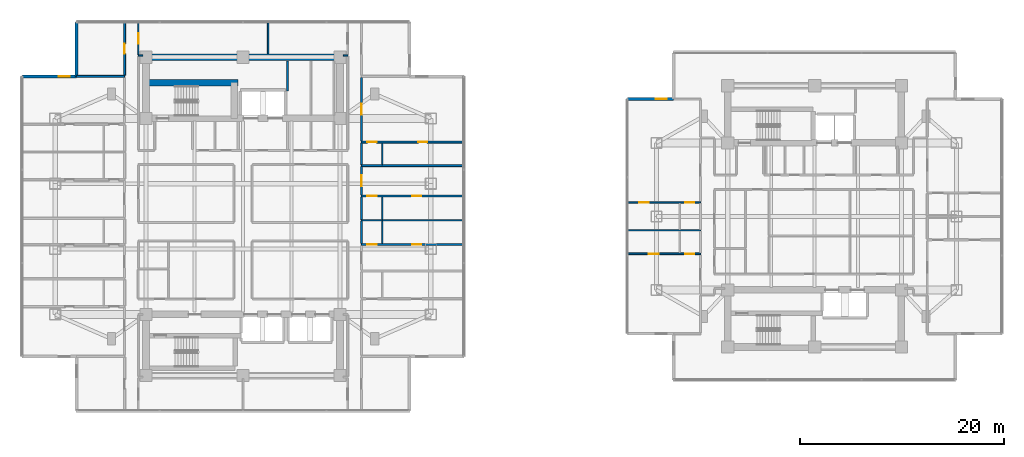
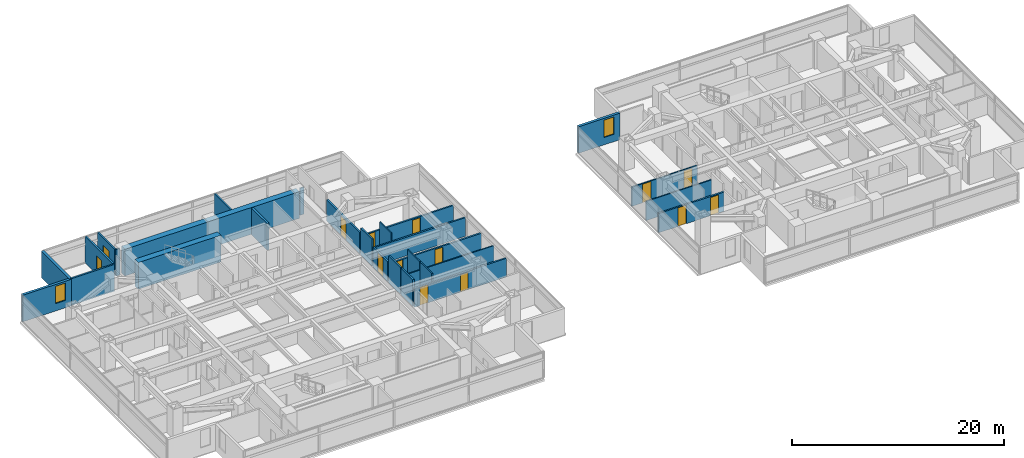
# One storey, part 15 of 25: 28 walls, 14 doors, 2 windows, 16 openings.
"""IFC4 building model written with IfcOpenShell, lengths in metres."""

from ifc_helpers import new_model, si_unit, direction, frame, frame_2d, origin, place, context, subcontext, project, spatial, rectangle, extrude, material, layer, layer_set, type_object, element, fill, save


model = new_model("IFC4")

# Units and contexts
model_context = context("Model", 3, precision=1e-05, world=origin(), true_north=direction((0.0, 1.0)))
body_context = subcontext(model_context, "Body", "Model", "MODEL_VIEW")
ifc_project = project(units=[si_unit("LENGTHUNIT", "METRE"), si_unit("AREAUNIT", "SQUARE_METRE"), si_unit("VOLUMEUNIT", "CUBIC_METRE"), si_unit("PLANEANGLEUNIT", "RADIAN"), si_unit("MASSUNIT", "GRAM", prefix="KILO")], contexts=[model_context])

# Site, building, storey
site_placement = place(None, origin())
site = spatial("IfcSite", under=ifc_project, at=site_placement, CompositionType="ELEMENT")
building_placement = place(site_placement, origin())
building = spatial("IfcBuilding", under=site, at=building_placement, Name="Mirazonda Arch Towers", CompositionType="ELEMENT")
storey_placement = place(building_placement, frame((0.0, 0.0, 104.89990234375)))
storey = spatial("IfcBuildingStorey", under=building, at=storey_placement, Name="L29", CompositionType="ELEMENT", Elevation=104.89990234375)

# Walls
ifc_material_1 = material(Name="Concrete C60/75", Category="concrete")
ifc_layer_1 = layer(ifc_material_1, 0.64990234375, Name="WALL-CORE-650")
ifc_layer_set_1 = layer_set([ifc_layer_1], Name="Concrete C60/75")
wall_type_1 = type_object("IfcWallType", Name="WALL-CORE-650", PredefinedType="SHEAR", material=ifc_layer_set_1)
wall_1_placement = place(storey_placement, frame((11.0, 43.60009765625, 0.0), z_axis=(0.0, 0.0, 1.0), x_axis=(1.0, 0.0, 0.0)))
element("IfcWall", 1, at=wall_1_placement, inside=storey, type_object=wall_type_1, Name="L29 T1N-N Core Shear Wall", PredefinedType="SHEAR", context=body_context, shape_type="SweptSolid", body=[
    extrude(rectangle(XDim=19.0, YDim=0.64990234375, at=frame_2d((9.5, 0.0))), origin(), (0.0, 0.0, 1.0), 3.080078125),
])
wall_2_placement = place(storey_placement, frame((11.0, 41.093017578125, 0.0), z_axis=(0.0, 0.0, 1.0), x_axis=(1.0, 0.0, 0.0)))
element("IfcWall", 2, at=wall_2_placement, inside=storey, type_object=wall_type_1, Name="L29 T1N-STN Core Shear Wall", PredefinedType="SHEAR", context=body_context, shape_type="SweptSolid", body=[
    extrude(rectangle(XDim=9.0, YDim=0.64990234375, at=frame_2d((4.5, 0.0))), origin(), (0.0, 0.0, 1.0), 3.080078125),
])

# Wall, opening, window
ifc_material_2 = material(Name="Precast Concrete C40/50", Category="concrete")
ifc_layer_2 = layer(ifc_material_2, 0.280029296875, Name="WALL-EXT-WALL-280")
ifc_layer_set_2 = layer_set([ifc_layer_2], Name="Precast Concrete C40/50")
wall_type_2 = type_object("IfcWallType", Name="WALL-EXT-WALL-280", PredefinedType="SOLIDWALL", material=ifc_layer_set_2)
wall_3_placement = place(storey_placement, frame((4.175048828125, 41.715087890625, 0.0), z_axis=(0.0, 0.0, 1.0), x_axis=(-1.0, 0.0, 0.0)))
wall_3 = element("IfcWall", 3, at=wall_3_placement, inside=storey, type_object=wall_type_2, Name="L29 T1 Corner Notch Return Wall WL-L29-T1-CNW1", PredefinedType="SOLIDWALL", context=body_context, shape_type="SweptSolid", body=[
    extrude(rectangle(XDim=5.304931640625, YDim=0.280029296875, at=frame_2d((2.65234375, 0.0))), origin(), (0.0, 0.0, 1.0), 3.06005859375),
])
opening_1_placement = place(wall_3_placement, frame((0.64990234375, 0.0, 0.85009765625)))
opening_1 = element("IfcOpeningElement", 4, at=opening_1_placement, cuts=wall_3, Name="Opening WN-108", PredefinedType="OPENING", context=body_context, shape_type="SweptSolid", body=[
    extrude(rectangle(XDim=1.10009765625, YDim=2.0, at=frame_2d((0.550048828125, 1.0))), frame((0.0, 0.14990234375, 0.0), z_axis=(0.0, -1.0, 0.0), x_axis=(1.0, 0.0, 0.0)), (0.0, 0.0, 1.0), 0.300048828125),
])
ifc_material_3 = material(Name="Insulated Low-E Solar Glass", Category="glass")
window_type = type_object("IfcWindowType", Name="WIN-NOTCH-1100x2000", PartitioningType="SINGLE_PANEL", PredefinedType="WINDOW", material=ifc_material_3)
window_1_placement = place(opening_1_placement, origin())
window_1 = element("IfcWindow", 5, at=window_1_placement, inside=storey, type_object=window_type, Name="L29 Punched Facade Window WN-L29-T1-CNW1", OverallHeight=2.0, OverallWidth=1.10009765625, PartitioningType="SINGLE_PANEL", PredefinedType="WINDOW", context=body_context, shape_type="SweptSolid", body=[
    extrude(rectangle(XDim=1.10009765625, YDim=2.0, at=frame_2d((0.550048828125, 1.0))), frame((0.0, 0.030029296875, 0.0), z_axis=(0.0, -1.0, 0.0), x_axis=(1.0, 0.0, 0.0)), (0.0, 0.0, 1.0), 0.06005859375),
])
fill(opening_1, window_1)

# Wall
wall_4_placement = place(storey_placement, frame((4.175048828125, 47.02001953125, 0.0), z_axis=(0.0, 0.0, 1.0), x_axis=(0.0, -1.0, 0.0)))
element("IfcWall", 6, at=wall_4_placement, inside=storey, type_object=wall_type_2, Name="L29 T1 Corner Notch Return Wall WL-L29-T1-CNW2", PredefinedType="SOLIDWALL", context=body_context, shape_type="SweptSolid", body=[
    extrude(rectangle(XDim=5.304931640625, YDim=0.280029296875, at=frame_2d((2.65234375, 0.0))), origin(), (0.0, 0.0, 1.0), 3.06005859375),
])

# Wall, opening, window
wall_5_placement = place(storey_placement, frame((62.683837890625, 39.497802734375, 0.0), z_axis=(0.0, 0.0, 1.0), x_axis=(-1.0, 0.0, 0.0)))
wall_5 = element("IfcWall", 7, at=wall_5_placement, inside=storey, type_object=wall_type_2, Name="L29 T2 Corner Notch Return Wall WL-L29-T2-CNW1", PredefinedType="SOLIDWALL", context=body_context, shape_type="SweptSolid", body=[
    extrude(rectangle(XDim=4.516357421875, YDim=0.280029296875, at=frame_2d((2.25830078125, 0.0))), origin(), (0.0, 0.0, 1.0), 3.06005859375),
])
opening_2_placement = place(wall_5_placement, frame((0.64990234375, 0.0, 0.85009765625)))
opening_2 = element("IfcOpeningElement", 8, at=opening_2_placement, cuts=wall_5, Name="Opening WN-108", PredefinedType="OPENING", context=body_context, shape_type="SweptSolid", body=[
    extrude(rectangle(XDim=1.10009765625, YDim=2.0, at=frame_2d((0.550048828125, 1.0))), frame((0.0, 0.14990234375, 0.0), z_axis=(0.0, -1.0, 0.0), x_axis=(1.0, 0.0, 0.0)), (0.0, 0.0, 1.0), 0.300048828125),
])
window_2_placement = place(opening_2_placement, origin())
window_2 = element("IfcWindow", 9, at=window_2_placement, inside=storey, type_object=window_type, Name="L29 Punched Facade Window WN-L29-T2-CNW1", OverallHeight=2.0, OverallWidth=1.10009765625, PartitioningType="SINGLE_PANEL", PredefinedType="WINDOW", context=body_context, shape_type="SweptSolid", body=[
    extrude(rectangle(XDim=1.10009765625, YDim=2.0, at=frame_2d((0.550048828125, 1.0))), frame((0.0, 0.030029296875, 0.0), z_axis=(0.0, -1.0, 0.0), x_axis=(1.0, 0.0, 0.0)), (0.0, 0.0, 1.0), 0.06005859375),
])
fill(opening_2, window_2)

# Wall
ifc_material_4 = material(Name="Concrete C40/50", Category="concrete")
ifc_layer_3 = layer(ifc_material_4, 0.219970703125, Name="WALL-FFL-220")
ifc_layer_set_3 = layer_set([ifc_layer_3], Name="Concrete C40/50")
wall_type_3 = type_object("IfcWallType", Name="WALL-FFL-220", PredefinedType="SOLIDWALL", material=ifc_layer_set_3)
wall_6_placement = place(storey_placement, frame((24.85009765625, 40.260009765625, 0.0), z_axis=(0.0, 0.0, 1.0), x_axis=(0.0, 1.0, 0.0)))
element("IfcWall", 10, at=wall_6_placement, inside=storey, type_object=wall_type_3, Name="L29 Interior Partition 108", PredefinedType="SOLIDWALL", context=body_context, shape_type="SweptSolid", body=[
    extrude(rectangle(XDim=2.93994140625, YDim=0.219970703125, at=frame_2d((1.469970703125, 0.0))), origin(), (0.0, 0.0, 1.0), 3.080078125),
])

# Wall, openings, doors
ifc_material_5 = material(Name="Fire-Rated Gypsum Stud Partition")
ifc_layer_4 = layer(ifc_material_5, 0.14990234375, Name="WALL-PART-CORR-150")
ifc_layer_set_4 = layer_set([ifc_layer_4], Name="Fire-Rated Gypsum Stud Partition")
wall_type_4 = type_object("IfcWallType", Name="WALL-PART-CORR-150", PredefinedType="PARTITIONING", material=ifc_layer_set_4)
wall_7_placement = place(storey_placement, frame((58.1669921875, 29.35205078125, 0.0), z_axis=(0.0, 0.0, 1.0), x_axis=(1.0, 0.0, 0.0)))
wall_7 = element("IfcWall", 11, at=wall_7_placement, inside=storey, type_object=wall_type_4, Name="L29 Interior Partition 041", PredefinedType="PARTITIONING", context=body_context, shape_type="SweptSolid", body=[
    extrude(rectangle(XDim=7.153076171875, YDim=0.14990234375, at=frame_2d((3.57666015625, 0.0))), origin(), (0.0, 0.0, 1.0), 2.216064453125),
])
opening_3_placement = place(wall_7_placement, frame((1.151611328125, 0.0, 0.0)))
opening_3 = element("IfcOpeningElement", 12, at=opening_3_placement, cuts=wall_7, Name="Opening DR-104", PredefinedType="OPENING", context=body_context, shape_type="SweptSolid", body=[
    extrude(rectangle(XDim=0.949951171875, YDim=2.14990234375, at=frame_2d((0.47509765625, 1.074951171875))), frame((0.0, 0.0849609375, 0.0), z_axis=(0.0, -1.0, 0.0), x_axis=(1.0, 0.0, 0.0)), (0.0, 0.0, 1.0), 0.169921875),
])
opening_4_placement = place(wall_7_placement, frame((5.6630859375, 0.0, 0.0)))
opening_4 = element("IfcOpeningElement", 13, at=opening_4_placement, cuts=wall_7, Name="Opening DR-120", PredefinedType="OPENING", context=body_context, shape_type="SweptSolid", body=[
    extrude(rectangle(XDim=0.89990234375, YDim=2.10009765625, at=frame_2d((0.449951171875, 1.050048828125))), frame((0.0, 0.0849609375, 0.0), z_axis=(0.0, -1.0, 0.0), x_axis=(1.0, 0.0, 0.0)), (0.0, 0.0, 1.0), 0.169921875),
])
ifc_material_6 = material(Name="Architectural Brushed Steel S355", Category="steel")
door_type_1 = type_object("IfcDoorType", Name="DOOR-ROOM-950", OperationType="NOTDEFINED", PredefinedType="DOOR", material=ifc_material_6)
door_1_placement = place(opening_3_placement, origin())
door_1 = element("IfcDoor", 14, at=door_1_placement, inside=storey, type_object=door_type_1, Name="L29 Suite Bedroom 2 Door", OperationType="SINGLE_SWING_RIGHT", OverallHeight=2.14990234375, OverallWidth=0.949951171875, PredefinedType="DOOR", context=body_context, shape_type="SweptSolid", body=[
    extrude(rectangle(XDim=0.949951171875, YDim=2.14990234375, at=frame_2d((0.47509765625, 1.074951171875))), frame((0.0, 0.02490234375, 0.0), z_axis=(0.0, -1.0, 0.0), x_axis=(1.0, 0.0, 0.0)), (0.0, 0.0, 1.0), 0.050048828125),
])
fill(opening_3, door_1)
door_type_2 = type_object("IfcDoorType", Name="DOOR-WC-900", OperationType="NOTDEFINED", PredefinedType="DOOR", material=ifc_material_6)
door_2_placement = place(opening_4_placement, origin())
door_2 = element("IfcDoor", 15, at=door_2_placement, inside=storey, type_object=door_type_2, Name="L29 Suite En-Suite Bathroom 2 Door", OperationType="SINGLE_SWING_LEFT", OverallHeight=2.10009765625, OverallWidth=0.89990234375, PredefinedType="DOOR", context=body_context, shape_type="SweptSolid", body=[
    extrude(rectangle(XDim=0.89990234375, YDim=2.10009765625, at=frame_2d((0.449951171875, 1.050048828125))), frame((0.0, 0.02490234375, 0.0), z_axis=(0.0, -1.0, 0.0), x_axis=(1.0, 0.0, 0.0)), (0.0, 0.0, 1.0), 0.050048828125),
])
fill(opening_4, door_2)

# Walls
for number, where, z_axis, x_axis, name in (
    (16, (10.239990234375, 43.75, 0.0), (0.0, 0.0, 1.0), (1.0, 0.0, 0.0), "L29 Interior Partition 065"),
    (17, (30.320068359375, 43.75, 0.0), (0.0, 0.0, 1.0), (1.0, 0.0, 0.0), "L29 Interior Partition 066"),
):
    element("IfcWall", number, at=place(storey_placement, frame(where, z_axis=z_axis, x_axis=x_axis)), inside=storey, type_object=wall_type_4, Name=name, PredefinedType="PARTITIONING", context=body_context, shape_type="SweptSolid", body=[
        extrude(rectangle(XDim=0.43994140625, YDim=0.14990234375, at=frame_2d((0.219970703125, 0.0))), origin(), (0.0, 0.0, 1.0), 3.080078125),
    ])

# Wall, opening, door
wall_8_placement = place(storey_placement, frame((10.239990234375, 43.8349609375, 0.0), z_axis=(0.0, 0.0, 1.0), x_axis=(0.0, 1.0, 0.0)))
wall_8 = element("IfcWall", 18, at=wall_8_placement, inside=storey, type_object=wall_type_4, Name="L29 Interior Partition 087", PredefinedType="PARTITIONING", context=body_context, shape_type="SweptSolid", body=[
    extrude(rectangle(XDim=3.18505859375, YDim=0.14990234375, at=frame_2d((1.592529296875, 0.0))), origin(), (0.0, 0.0, 1.0), 3.080078125),
])
opening_5_placement = place(wall_8_placement, frame((1.0673828125, 0.0, 0.0)))
opening_5 = element("IfcOpeningElement", 19, at=opening_5_placement, cuts=wall_8, Name="Opening DR-121", PredefinedType="OPENING", context=body_context, shape_type="SweptSolid", body=[
    extrude(rectangle(XDim=1.050048828125, YDim=2.199951171875, at=frame_2d((0.52490234375, 1.10009765625))), frame((0.0, 0.0849609375, 0.0), z_axis=(0.0, -1.0, 0.0), x_axis=(1.0, 0.0, 0.0)), (0.0, 0.0, 1.0), 0.169921875),
])
door_type_3 = type_object("IfcDoorType", Name="DOOR-SUITE-FD60-1050", OperationType="NOTDEFINED", PredefinedType="DOOR", material=ifc_material_6)
door_3_placement = place(opening_5_placement, origin())
door_3 = element("IfcDoor", 20, at=door_3_placement, inside=storey, type_object=door_type_3, Name="L29 North Reading Salon West Door", OperationType="SINGLE_SWING_LEFT", OverallHeight=2.199951171875, OverallWidth=1.050048828125, PredefinedType="DOOR", context=body_context, shape_type="SweptSolid", body=[
    extrude(rectangle(XDim=1.050048828125, YDim=2.199951171875, at=frame_2d((0.52490234375, 1.10009765625))), frame((0.0, 0.02490234375, 0.0), z_axis=(0.0, -1.0, 0.0), x_axis=(1.0, 0.0, 0.0)), (0.0, 0.0, 1.0), 0.050048828125),
])
fill(opening_5, door_3)

# Wall
wall_9_placement = place(storey_placement, frame((22.9619140625, 43.919921875, 0.0), z_axis=(0.0, 0.0, 1.0), x_axis=(0.0, 1.0, 0.0)))
element("IfcWall", 21, at=wall_9_placement, inside=storey, type_object=wall_type_4, Name="L29 Interior Partition 103", PredefinedType="PARTITIONING", context=body_context, shape_type="SweptSolid", body=[
    extrude(rectangle(XDim=3.10009765625, YDim=0.14990234375, at=frame_2d((1.550048828125, 0.0))), origin(), (0.0, 0.0, 1.0), 3.080078125),
])

# Wall, openings, doors
ifc_material_7 = material(Name="Fire-Rated Gypsum Twin-Stud Assembly")
ifc_layer_5 = layer(ifc_material_7, 0.179931640625, Name="WALL-PART-DEMISE-180")
ifc_layer_set_5 = layer_set([ifc_layer_5], Name="Fire-Rated Gypsum Twin-Stud Assembly")
wall_type_5 = type_object("IfcWallType", Name="WALL-PART-DEMISE-180", PredefinedType="PARTITIONING", material=ifc_layer_set_5)
wall_10_placement = place(storey_placement, frame((58.1669921875, 24.33203125, 0.0), z_axis=(0.0, 0.0, 1.0), x_axis=(1.0, 0.0, 0.0)))
wall_10 = element("IfcWall", 22, at=wall_10_placement, inside=storey, type_object=wall_type_5, Name="L29 Interior Partition 027", PredefinedType="PARTITIONING", context=body_context, shape_type="SweptSolid", body=[
    extrude(rectangle(XDim=7.153076171875, YDim=0.179931640625, at=frame_2d((3.57666015625, 0.0))), origin(), (0.0, 0.0, 1.0), 2.216064453125),
])
opening_6_placement = place(wall_10_placement, frame((2.1015625, 0.0, 0.0)))
opening_6 = element("IfcOpeningElement", 23, at=opening_6_placement, cuts=wall_10, Name="Opening DR-104", PredefinedType="OPENING", context=body_context, shape_type="SweptSolid", body=[
    extrude(rectangle(XDim=0.949951171875, YDim=2.14990234375, at=frame_2d((0.47509765625, 1.074951171875))), frame((0.0, 0.099853515625, 0.0), z_axis=(0.0, -1.0, 0.0), x_axis=(1.0, 0.0, 0.0)), (0.0, 0.0, 1.0), 0.199951171875),
])
opening_7_placement = place(wall_10_placement, frame((5.6630859375, 0.0, 0.0)))
opening_7 = element("IfcOpeningElement", 24, at=opening_7_placement, cuts=wall_10, Name="Opening DR-120", PredefinedType="OPENING", context=body_context, shape_type="SweptSolid", body=[
    extrude(rectangle(XDim=0.89990234375, YDim=2.10009765625, at=frame_2d((0.449951171875, 1.050048828125))), frame((0.0, 0.099853515625, 0.0), z_axis=(0.0, -1.0, 0.0), x_axis=(1.0, 0.0, 0.0)), (0.0, 0.0, 1.0), 0.199951171875),
])
door_4_placement = place(opening_6_placement, origin())
door_4 = element("IfcDoor", 25, at=door_4_placement, inside=storey, type_object=door_type_1, Name="L29 Suite Bedroom 1 Door", OperationType="SINGLE_SWING_LEFT", OverallHeight=2.14990234375, OverallWidth=0.949951171875, PredefinedType="DOOR", context=body_context, shape_type="SweptSolid", body=[
    extrude(rectangle(XDim=0.949951171875, YDim=2.14990234375, at=frame_2d((0.47509765625, 1.074951171875))), frame((0.0, 0.02490234375, 0.0), z_axis=(0.0, -1.0, 0.0), x_axis=(1.0, 0.0, 0.0)), (0.0, 0.0, 1.0), 0.050048828125),
])
fill(opening_6, door_4)
door_5_placement = place(opening_7_placement, origin())
door_5 = element("IfcDoor", 26, at=door_5_placement, inside=storey, type_object=door_type_2, Name="L29 Suite En-Suite Bathroom 1 Door", OperationType="SINGLE_SWING_RIGHT", OverallHeight=2.10009765625, OverallWidth=0.89990234375, PredefinedType="DOOR", context=body_context, shape_type="SweptSolid", body=[
    extrude(rectangle(XDim=0.89990234375, YDim=2.10009765625, at=frame_2d((0.449951171875, 1.050048828125))), frame((0.0, 0.02490234375, 0.0), z_axis=(0.0, -1.0, 0.0), x_axis=(1.0, 0.0, 0.0)), (0.0, 0.0, 1.0), 0.050048828125),
])
fill(opening_7, door_5)

wall_11_placement = place(storey_placement, frame((32.10009765625, 25.2470703125, 0.0), z_axis=(0.0, 0.0, 1.0), x_axis=(1.0, 0.0, 0.0)))
wall_11 = element("IfcWall", 27, at=wall_11_placement, inside=storey, type_object=wall_type_5, Name="L29 Interior Partition 030", PredefinedType="PARTITIONING", context=body_context, shape_type="SweptSolid", body=[
    extrude(rectangle(XDim=10.02978515625, YDim=0.179931640625, at=frame_2d((5.014892578125, 0.0))), origin(), (0.0, 0.0, 1.0), 2.14501953125),
])
opening_8_placement = place(wall_11_placement, frame((4.989990234375, 0.0, 0.0)))
opening_8 = element("IfcOpeningElement", 28, at=opening_8_placement, cuts=wall_11, Name="Opening DR-128", PredefinedType="OPENING", context=body_context, shape_type="SweptSolid", body=[
    extrude(rectangle(XDim=0.85009765625, YDim=2.010009765625, at=frame_2d((0.425048828125, 1.0048828125))), frame((0.0, 0.099853515625, 0.0), z_axis=(0.0, -1.0, 0.0), x_axis=(1.0, 0.0, 0.0)), (0.0, 0.0, 1.0), 0.199951171875),
])
opening_9_placement = place(wall_11_placement, frame((0.590087890625, 0.0, 0.0)))
opening_9 = element("IfcOpeningElement", 29, at=opening_9_placement, cuts=wall_11, Name="Opening DR-120", PredefinedType="OPENING", context=body_context, shape_type="SweptSolid", body=[
    extrude(rectangle(XDim=0.89990234375, YDim=2.10009765625, at=frame_2d((0.449951171875, 1.050048828125))), frame((0.0, 0.099853515625, 0.0), z_axis=(0.0, -1.0, 0.0), x_axis=(1.0, 0.0, 0.0)), (0.0, 0.0, 1.0), 0.199951171875),
])
door_type_4 = type_object("IfcDoorType", Name="DOOR-RISER-FD60-850", OperationType="NOTDEFINED", PredefinedType="DOOR", material=ifc_material_6)
door_6_placement = place(opening_8_placement, origin())
door_6 = element("IfcDoor", 30, at=door_6_placement, inside=storey, type_object=door_type_4, Name="L29 Guestroom Study 2 Door", OperationType="SINGLE_SWING_LEFT", OverallHeight=2.010009765625, OverallWidth=0.85009765625, PredefinedType="DOOR", context=body_context, shape_type="SweptSolid", body=[
    extrude(rectangle(XDim=0.85009765625, YDim=2.010009765625, at=frame_2d((0.425048828125, 1.0048828125))), frame((0.0, 0.02490234375, 0.0), z_axis=(0.0, -1.0, 0.0), x_axis=(1.0, 0.0, 0.0)), (0.0, 0.0, 1.0), 0.050048828125),
])
fill(opening_8, door_6)
door_7_placement = place(opening_9_placement, origin())
door_7 = element("IfcDoor", 31, at=door_7_placement, inside=storey, type_object=door_type_2, Name="L29 En-Suite Bathroom 2 Door", OperationType="SINGLE_SWING_RIGHT", OverallHeight=2.10009765625, OverallWidth=0.89990234375, PredefinedType="DOOR", context=body_context, shape_type="SweptSolid", body=[
    extrude(rectangle(XDim=0.89990234375, YDim=2.10009765625, at=frame_2d((0.449951171875, 1.050048828125))), frame((0.0, 0.02490234375, 0.0), z_axis=(0.0, -1.0, 0.0), x_axis=(1.0, 0.0, 0.0)), (0.0, 0.0, 1.0), 0.050048828125),
])
fill(opening_9, door_7)

wall_12_placement = place(storey_placement, frame((32.10009765625, 29.99609375, 0.0), z_axis=(0.0, 0.0, 1.0), x_axis=(1.0, 0.0, 0.0)))
wall_12 = element("IfcWall", 32, at=wall_12_placement, inside=storey, type_object=wall_type_5, Name="L29 Interior Partition 042", PredefinedType="PARTITIONING", context=body_context, shape_type="SweptSolid", body=[
    extrude(rectangle(XDim=10.02978515625, YDim=0.179931640625, at=frame_2d((5.014892578125, 0.0))), origin(), (0.0, 0.0, 1.0), 2.14501953125),
])
opening_10_placement = place(wall_12_placement, frame((4.989990234375, 0.0, 0.0)))
opening_10 = element("IfcOpeningElement", 33, at=opening_10_placement, cuts=wall_12, Name="Opening DR-128", PredefinedType="OPENING", context=body_context, shape_type="SweptSolid", body=[
    extrude(rectangle(XDim=0.85009765625, YDim=2.010009765625, at=frame_2d((0.425048828125, 1.0048828125))), frame((0.0, 0.099853515625, 0.0), z_axis=(0.0, -1.0, 0.0), x_axis=(1.0, 0.0, 0.0)), (0.0, 0.0, 1.0), 0.199951171875),
])
opening_11_placement = place(wall_12_placement, frame((0.590087890625, 0.0, 0.0)))
opening_11 = element("IfcOpeningElement", 34, at=opening_11_placement, cuts=wall_12, Name="Opening DR-120", PredefinedType="OPENING", context=body_context, shape_type="SweptSolid", body=[
    extrude(rectangle(XDim=0.89990234375, YDim=2.10009765625, at=frame_2d((0.449951171875, 1.050048828125))), frame((0.0, 0.099853515625, 0.0), z_axis=(0.0, -1.0, 0.0), x_axis=(1.0, 0.0, 0.0)), (0.0, 0.0, 1.0), 0.199951171875),
])
door_8_placement = place(opening_10_placement, origin())
door_8 = element("IfcDoor", 35, at=door_8_placement, inside=storey, type_object=door_type_4, Name="L29 Guestroom Study 3 Door", OperationType="SINGLE_SWING_RIGHT", OverallHeight=2.010009765625, OverallWidth=0.85009765625, PredefinedType="DOOR", context=body_context, shape_type="SweptSolid", body=[
    extrude(rectangle(XDim=0.85009765625, YDim=2.010009765625, at=frame_2d((0.425048828125, 1.0048828125))), frame((0.0, 0.02490234375, 0.0), z_axis=(0.0, -1.0, 0.0), x_axis=(1.0, 0.0, 0.0)), (0.0, 0.0, 1.0), 0.050048828125),
])
fill(opening_10, door_8)
door_9_placement = place(opening_11_placement, origin())
door_9 = element("IfcDoor", 36, at=door_9_placement, inside=storey, type_object=door_type_2, Name="L29 En-Suite Bathroom 3 Door", OperationType="SINGLE_SWING_LEFT", OverallHeight=2.10009765625, OverallWidth=0.89990234375, PredefinedType="DOOR", context=body_context, shape_type="SweptSolid", body=[
    extrude(rectangle(XDim=0.89990234375, YDim=2.10009765625, at=frame_2d((0.449951171875, 1.050048828125))), frame((0.0, 0.02490234375, 0.0), z_axis=(0.0, -1.0, 0.0), x_axis=(1.0, 0.0, 0.0)), (0.0, 0.0, 1.0), 0.050048828125),
])
fill(opening_11, door_9)

# Wall
wall_13_placement = place(storey_placement, frame((32.10009765625, 32.97412109375, 0.0), z_axis=(0.0, 0.0, 1.0), x_axis=(1.0, 0.0, 0.0)))
element("IfcWall", 37, at=wall_13_placement, inside=storey, type_object=wall_type_5, Name="L29 Interior Partition 050", PredefinedType="PARTITIONING", context=body_context, shape_type="SweptSolid", body=[
    extrude(rectangle(XDim=10.02978515625, YDim=0.179931640625, at=frame_2d((5.014892578125, 0.0))), origin(), (0.0, 0.0, 1.0), 2.14501953125),
])

# Wall, openings, doors
wall_14_placement = place(storey_placement, frame((32.10009765625, 35.27392578125, 0.0), z_axis=(0.0, 0.0, 1.0), x_axis=(1.0, 0.0, 0.0)))
wall_14 = element("IfcWall", 38, at=wall_14_placement, inside=storey, type_object=wall_type_5, Name="L29 Interior Partition 054", PredefinedType="PARTITIONING", context=body_context, shape_type="SweptSolid", body=[
    extrude(rectangle(XDim=10.02978515625, YDim=0.179931640625, at=frame_2d((5.014892578125, 0.0))), origin(), (0.0, 0.0, 1.0), 2.14501953125),
])
opening_12_placement = place(wall_14_placement, frame((5.590087890625, 0.0, 0.0)))
opening_12 = element("IfcOpeningElement", 39, at=opening_12_placement, cuts=wall_14, Name="Opening DR-128", PredefinedType="OPENING", context=body_context, shape_type="SweptSolid", body=[
    extrude(rectangle(XDim=0.85009765625, YDim=2.010009765625, at=frame_2d((0.425048828125, 1.0048828125))), frame((0.0, 0.099853515625, 0.0), z_axis=(0.0, -1.0, 0.0), x_axis=(1.0, 0.0, 0.0)), (0.0, 0.0, 1.0), 0.199951171875),
])
opening_13_placement = place(wall_14_placement, frame((0.590087890625, 0.0, 0.0)))
opening_13 = element("IfcOpeningElement", 40, at=opening_13_placement, cuts=wall_14, Name="Opening DR-120", PredefinedType="OPENING", context=body_context, shape_type="SweptSolid", body=[
    extrude(rectangle(XDim=0.89990234375, YDim=2.10009765625, at=frame_2d((0.449951171875, 1.050048828125))), frame((0.0, 0.099853515625, 0.0), z_axis=(0.0, -1.0, 0.0), x_axis=(1.0, 0.0, 0.0)), (0.0, 0.0, 1.0), 0.199951171875),
])
door_10_placement = place(opening_12_placement, origin())
door_10 = element("IfcDoor", 41, at=door_10_placement, inside=storey, type_object=door_type_4, Name="L29 Guestroom Study 4 Door", OperationType="SINGLE_SWING_LEFT", OverallHeight=2.010009765625, OverallWidth=0.85009765625, PredefinedType="DOOR", context=body_context, shape_type="SweptSolid", body=[
    extrude(rectangle(XDim=0.85009765625, YDim=2.010009765625, at=frame_2d((0.425048828125, 1.0048828125))), frame((0.0, 0.02490234375, 0.0), z_axis=(0.0, -1.0, 0.0), x_axis=(1.0, 0.0, 0.0)), (0.0, 0.0, 1.0), 0.050048828125),
])
fill(opening_12, door_10)
door_11_placement = place(opening_13_placement, origin())
door_11 = element("IfcDoor", 42, at=door_11_placement, inside=storey, type_object=door_type_2, Name="L29 En-Suite Bathroom 4 Door", OperationType="SINGLE_SWING_RIGHT", OverallHeight=2.10009765625, OverallWidth=0.89990234375, PredefinedType="DOOR", context=body_context, shape_type="SweptSolid", body=[
    extrude(rectangle(XDim=0.89990234375, YDim=2.10009765625, at=frame_2d((0.449951171875, 1.050048828125))), frame((0.0, 0.02490234375, 0.0), z_axis=(0.0, -1.0, 0.0), x_axis=(1.0, 0.0, 0.0)), (0.0, 0.0, 1.0), 0.050048828125),
])
fill(opening_13, door_11)

# Wall
wall_15_placement = place(storey_placement, frame((4.195068359375, 41.715087890625, 0.0), z_axis=(0.0, 0.0, 1.0), x_axis=(1.0, 0.0, 0.0)))
element("IfcWall", 43, at=wall_15_placement, inside=storey, type_object=wall_type_5, Name="L29 Interior Partition 063", PredefinedType="PARTITIONING", context=body_context, shape_type="SweptSolid", body=[
    extrude(rectangle(XDim=4.704833984375, YDim=0.179931640625, at=frame_2d((2.3525390625, 0.0))), origin(), (0.0, 0.0, 1.0), 3.080078125),
])

# Wall, opening, door
wall_16_placement = place(storey_placement, frame((8.89990234375, 41.81494140625, 0.0), z_axis=(0.0, 0.0, 1.0), x_axis=(0.0, 1.0, 0.0)))
wall_16 = element("IfcWall", 44, at=wall_16_placement, inside=storey, type_object=wall_type_5, Name="L29 Interior Partition 080", PredefinedType="PARTITIONING", context=body_context, shape_type="SweptSolid", body=[
    extrude(rectangle(XDim=5.205078125, YDim=0.179931640625, at=frame_2d((2.6025390625, 0.0))), origin(), (0.0, 0.0, 1.0), 3.080078125),
])
opening_14_placement = place(wall_16_placement, frame((2.12744140625, 0.0, 0.0)))
opening_14 = element("IfcOpeningElement", 45, at=opening_14_placement, cuts=wall_16, Name="Opening DR-104", PredefinedType="OPENING", context=body_context, shape_type="SweptSolid", body=[
    extrude(rectangle(XDim=0.949951171875, YDim=2.14990234375, at=frame_2d((0.47509765625, 1.074951171875))), frame((0.0, 0.099853515625, 0.0), z_axis=(0.0, -1.0, 0.0), x_axis=(1.0, 0.0, 0.0)), (0.0, 0.0, 1.0), 0.199951171875),
])
door_12_placement = place(opening_14_placement, origin())
door_12 = element("IfcDoor", 46, at=door_12_placement, inside=storey, type_object=door_type_1, Name="L29 North Reading Salon Alcove West Door", OperationType="SINGLE_SWING_LEFT", OverallHeight=2.14990234375, OverallWidth=0.949951171875, PredefinedType="DOOR", context=body_context, shape_type="SweptSolid", body=[
    extrude(rectangle(XDim=0.949951171875, YDim=2.14990234375, at=frame_2d((0.47509765625, 1.074951171875))), frame((0.0, 0.02490234375, 0.0), z_axis=(0.0, -1.0, 0.0), x_axis=(1.0, 0.0, 0.0)), (0.0, 0.0, 1.0), 0.050048828125),
])
fill(opening_14, door_12)

# Walls
wall_17_placement = place(storey_placement, frame((32.10009765625, 25.346923828125, 0.0), z_axis=(0.0, 0.0, 1.0), x_axis=(0.0, 1.0, 0.0)))
element("IfcWall", 47, at=wall_17_placement, inside=storey, type_object=wall_type_5, Name="L29 Interior Partition 124", PredefinedType="PARTITIONING", context=body_context, shape_type="SweptSolid", body=[
    extrude(rectangle(XDim=2.197509765625, YDim=0.179931640625, at=frame_2d((1.0986328125, 0.0))), origin(), (0.0, 0.0, 1.0), 3.080078125),
])
wall_18_placement = place(storey_placement, frame((32.10009765625, 27.689453125, 0.0), z_axis=(0.0, 0.0, 1.0), x_axis=(0.0, 1.0, 0.0)))
element("IfcWall", 48, at=wall_18_placement, inside=storey, type_object=wall_type_5, Name="L29 Interior Partition 125", PredefinedType="PARTITIONING", context=body_context, shape_type="SweptSolid", body=[
    extrude(rectangle(XDim=2.20654296875, YDim=0.179931640625, at=frame_2d((1.103271484375, 0.0))), origin(), (0.0, 0.0, 1.0), 3.080078125),
])

# Wall, opening, door
wall_19_placement = place(storey_placement, frame((32.10009765625, 30.095947265625, 0.0), z_axis=(0.0, 0.0, 1.0), x_axis=(0.0, 1.0, 0.0)))
wall_19 = element("IfcWall", 49, at=wall_19_placement, inside=storey, type_object=wall_type_5, Name="L29 Interior Partition 126", PredefinedType="PARTITIONING", context=body_context, shape_type="SweptSolid", body=[
    extrude(rectangle(XDim=2.778076171875, YDim=0.179931640625, at=frame_2d((1.38916015625, 0.0))), origin(), (0.0, 0.0, 1.0), 2.299072265625),
])
opening_15_placement = place(wall_19_placement, frame((0.864013671875, 0.0, 0.0)))
opening_15 = element("IfcOpeningElement", 50, at=opening_15_placement, cuts=wall_19, Name="Opening DR-121", PredefinedType="OPENING", context=body_context, shape_type="SweptSolid", body=[
    extrude(rectangle(XDim=1.050048828125, YDim=2.199951171875, at=frame_2d((0.52490234375, 1.10009765625))), frame((0.0, 0.099853515625, 0.0), z_axis=(0.0, -1.0, 0.0), x_axis=(1.0, 0.0, 0.0)), (0.0, 0.0, 1.0), 0.199951171875),
])
door_13_placement = place(opening_15_placement, origin())
door_13 = element("IfcDoor", 51, at=door_13_placement, inside=storey, type_object=door_type_3, Name="L29 King Hotel Guestroom 3 Door", OperationType="SINGLE_SWING_LEFT", OverallHeight=2.199951171875, OverallWidth=1.050048828125, PredefinedType="DOOR", context=body_context, shape_type="SweptSolid", body=[
    extrude(rectangle(XDim=1.050048828125, YDim=2.199951171875, at=frame_2d((0.52490234375, 1.10009765625))), frame((0.0, 0.02490234375, 0.0), z_axis=(0.0, -1.0, 0.0), x_axis=(1.0, 0.0, 0.0)), (0.0, 0.0, 1.0), 0.050048828125),
])
fill(opening_15, door_13)

# Wall
wall_20_placement = place(storey_placement, frame((32.10009765625, 33.073974609375, 0.0), z_axis=(0.0, 0.0, 1.0), x_axis=(0.0, 1.0, 0.0)))
element("IfcWall", 52, at=wall_20_placement, inside=storey, type_object=wall_type_5, Name="L29 Interior Partition 127", PredefinedType="PARTITIONING", context=body_context, shape_type="SweptSolid", body=[
    extrude(rectangle(XDim=2.10009765625, YDim=0.179931640625, at=frame_2d((1.050048828125, 0.0))), origin(), (0.0, 0.0, 1.0), 3.080078125),
])

# Wall, opening, door
wall_21_placement = place(storey_placement, frame((32.10009765625, 35.3740234375, 0.0), z_axis=(0.0, 0.0, 1.0), x_axis=(0.0, 1.0, 0.0)))
wall_21 = element("IfcWall", 53, at=wall_21_placement, inside=storey, type_object=wall_type_5, Name="L29 Interior Partition 128", PredefinedType="PARTITIONING", context=body_context, shape_type="SweptSolid", body=[
    extrude(rectangle(XDim=6.240966796875, YDim=0.179931640625, at=frame_2d((3.12060546875, 0.0))), origin(), (0.0, 0.0, 1.0), 2.4560546875),
])
opening_16_placement = place(wall_21_placement, frame((2.595458984375, 0.0, 0.0)))
opening_16 = element("IfcOpeningElement", 54, at=opening_16_placement, cuts=wall_21, Name="Opening DR-121", PredefinedType="OPENING", context=body_context, shape_type="SweptSolid", body=[
    extrude(rectangle(XDim=1.050048828125, YDim=2.199951171875, at=frame_2d((0.52490234375, 1.10009765625))), frame((0.0, 0.099853515625, 0.0), z_axis=(0.0, -1.0, 0.0), x_axis=(1.0, 0.0, 0.0)), (0.0, 0.0, 1.0), 0.199951171875),
])
door_14_placement = place(opening_16_placement, origin())
door_14 = element("IfcDoor", 55, at=door_14_placement, inside=storey, type_object=door_type_3, Name="L29 Twin Hotel Guestroom 4 Door", OperationType="SINGLE_SWING_RIGHT", OverallHeight=2.199951171875, OverallWidth=1.050048828125, PredefinedType="DOOR", context=body_context, shape_type="SweptSolid", body=[
    extrude(rectangle(XDim=1.050048828125, YDim=2.199951171875, at=frame_2d((0.52490234375, 1.10009765625))), frame((0.0, 0.02490234375, 0.0), z_axis=(0.0, -1.0, 0.0), x_axis=(1.0, 0.0, 0.0)), (0.0, 0.0, 1.0), 0.050048828125),
])
fill(opening_16, door_14)

# Walls
ifc_material_8 = material(Name="Acoustic Fire-Rated Gypsum Partition")
ifc_layer_6 = layer(ifc_material_8, 0.125, Name="WALL-PART-UNIT-125")
ifc_layer_set_6 = layer_set([ifc_layer_6], Name="Acoustic Fire-Rated Gypsum Partition")
wall_type_6 = type_object("IfcWallType", Name="WALL-PART-UNIT-125", PredefinedType="PARTITIONING", material=ifc_layer_set_6)
wall_22_placement = place(storey_placement, frame((58.1669921875, 26.632080078125, 0.0), z_axis=(0.0, 0.0, 1.0), x_axis=(1.0, 0.0, 0.0)))
element("IfcWall", 56, at=wall_22_placement, inside=storey, type_object=wall_type_6, Name="L29 Interior Partition 035", PredefinedType="PARTITIONING", context=body_context, shape_type="SweptSolid", body=[
    extrude(rectangle(XDim=7.153076171875, YDim=0.125, at=frame_2d((3.57666015625, 0.0))), origin(), (0.0, 0.0, 1.0), 2.216064453125),
])
wall_23_placement = place(storey_placement, frame((32.10009765625, 27.616943359375, 0.0), z_axis=(0.0, 0.0, 1.0), x_axis=(1.0, 0.0, 0.0)))
element("IfcWall", 57, at=wall_23_placement, inside=storey, type_object=wall_type_6, Name="L29 Interior Partition 039", PredefinedType="PARTITIONING", context=body_context, shape_type="SweptSolid", body=[
    extrude(rectangle(XDim=10.02978515625, YDim=0.125, at=frame_2d((5.014892578125, 0.0))), origin(), (0.0, 0.0, 1.0), 2.14501953125),
])
wall_24_placement = place(storey_placement, frame((34.139892578125, 25.346923828125, 0.0), z_axis=(0.0, 0.0, 1.0), x_axis=(0.0, 1.0, 0.0)))
element("IfcWall", 58, at=wall_24_placement, inside=storey, type_object=wall_type_6, Name="L29 Interior Partition 131", PredefinedType="PARTITIONING", context=body_context, shape_type="SweptSolid", body=[
    extrude(rectangle(XDim=2.197509765625, YDim=0.125, at=frame_2d((1.0986328125, 0.0))), origin(), (0.0, 0.0, 1.0), 3.080078125),
])
wall_25_placement = place(storey_placement, frame((34.139892578125, 27.689453125, 0.0), z_axis=(0.0, 0.0, 1.0), x_axis=(0.0, 1.0, 0.0)))
element("IfcWall", 59, at=wall_25_placement, inside=storey, type_object=wall_type_6, Name="L29 Interior Partition 132", PredefinedType="PARTITIONING", context=body_context, shape_type="SweptSolid", body=[
    extrude(rectangle(XDim=2.20654296875, YDim=0.125, at=frame_2d((1.103271484375, 0.0))), origin(), (0.0, 0.0, 1.0), 3.080078125),
])
wall_26_placement = place(storey_placement, frame((34.139892578125, 33.073974609375, 0.0), z_axis=(0.0, 0.0, 1.0), x_axis=(0.0, 1.0, 0.0)))
element("IfcWall", 60, at=wall_26_placement, inside=storey, type_object=wall_type_6, Name="L29 Interior Partition 133", PredefinedType="PARTITIONING", context=body_context, shape_type="SweptSolid", body=[
    extrude(rectangle(XDim=2.10009765625, YDim=0.125, at=frame_2d((1.050048828125, 0.0))), origin(), (0.0, 0.0, 1.0), 3.080078125),
])

save(model, "model.ifc")
